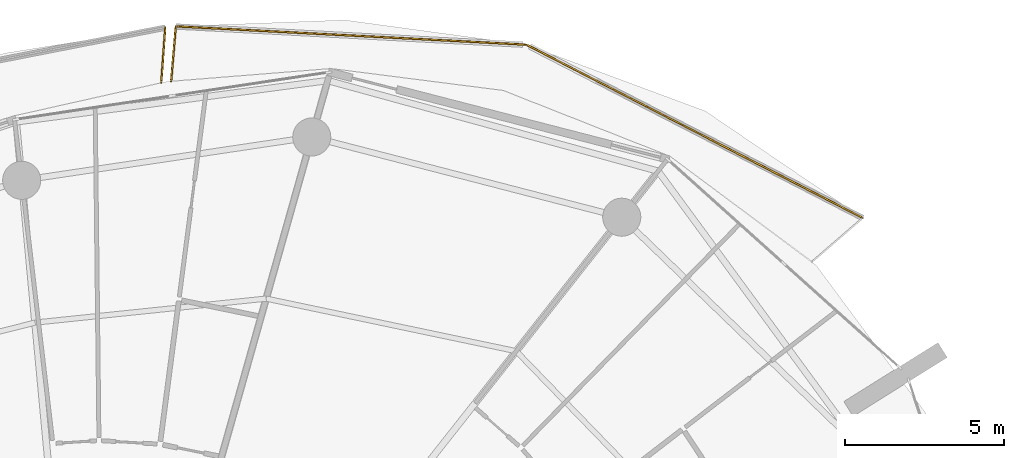
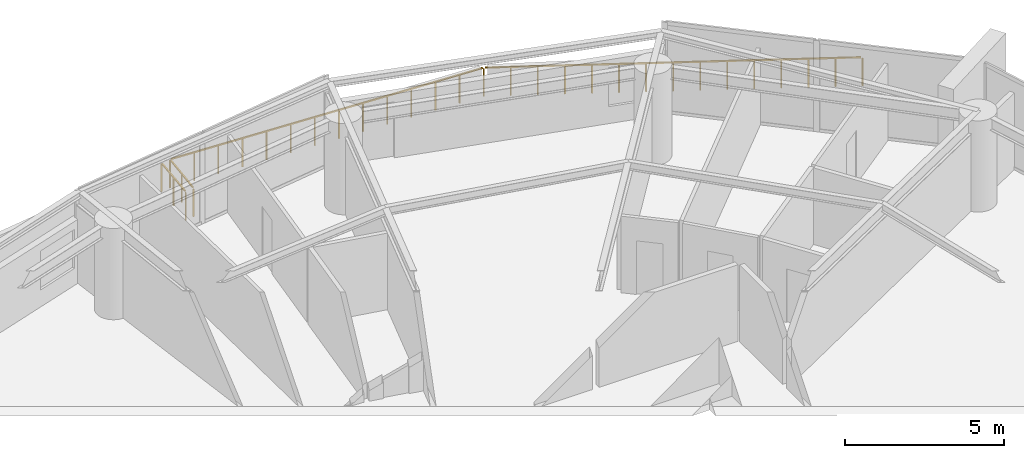
# One storey, part 23 of 23: 4 railings.
"""IFC4 building model written with IfcOpenShell, lengths in metres."""

from ifc_helpers import new_model, si_unit, direction, frame, origin, origin_2d, place, context, subcontext, project, spatial, rectangle, extrude, material, type_object, element, save


model = new_model("IFC4")

# Units and contexts
model_context = context("Model", 3, precision=1e-05, world=origin(), true_north=direction((0.0, 1.0)))
body_context = subcontext(model_context, "Body", "Model", "MODEL_VIEW")
ifc_project = project(units=[si_unit("LENGTHUNIT", "METRE"), si_unit("AREAUNIT", "SQUARE_METRE"), si_unit("VOLUMEUNIT", "CUBIC_METRE"), si_unit("PLANEANGLEUNIT", "RADIAN"), si_unit("MASSUNIT", "GRAM", prefix="KILO")], contexts=[model_context])

# Site, building, storey
site_placement = place(None, origin())
site = spatial("IfcSite", under=ifc_project, at=site_placement, CompositionType="ELEMENT")
building_placement = place(site_placement, origin())
building = spatial("IfcBuilding", under=site, at=building_placement, Name="Kazma Halo Residences", CompositionType="ELEMENT")
storey_placement = place(building_placement, frame((0.0, 0.0, 82.64990234375)))
storey = spatial("IfcBuildingStorey", under=building, at=storey_placement, Name="L20", CompositionType="ELEMENT", Elevation=82.64990234375)

# Railings
ifc_material = material(Name="Aluminium AW-6063 T6 Brushed Cap Rail", Category="aluminium")
railing_type = type_object("IfcRailingType", Name="RLG-BAL-CAP-1120", PredefinedType="BALUSTRADE", material=ifc_material)
railing_1_placement = place(storey_placement, frame((71.92041015625, 62.68408203125, 0.0)))
element("IfcRailing", 1, at=railing_1_placement, inside=storey, type_object=railing_type, Name="L20 NE wave balcony guard 2", PredefinedType="BALUSTRADE", context=body_context, shape_type="SweptSolid", body=[
    extrude(rectangle(XDim=0.050048828125, YDim=0.050048828125, at=origin_2d()), frame((-0.037841796875, 0.01953125, 1.09521484375), z_axis=(-0.888977082513, 0.457951686062, 0.0), x_axis=(-0.457951686062, -0.888977082513, 0.0)), (0.0, 0.0, 1.0), 11.838134765625),
    extrude(rectangle(XDim=0.0400390625, YDim=0.0400390625, at=origin_2d()), origin(), (0.0, 0.0, 1.0), 1.05810546875),
    extrude(rectangle(XDim=0.0400390625, YDim=0.0400390625, at=origin_2d()), frame((-0.757080078125, 0.39013671875, 0.0)), (0.0, 0.0, 1.0), 1.05810546875),
    extrude(rectangle(XDim=0.0400390625, YDim=0.0400390625, at=origin_2d()), frame((-1.51416015625, 0.780029296875, 0.0)), (0.0, 0.0, 1.0), 1.05810546875),
    extrude(rectangle(XDim=0.0400390625, YDim=0.0400390625, at=origin_2d()), frame((-2.271240234375, 1.169921875, 0.0)), (0.0, 0.0, 1.0), 1.05810546875),
    extrude(rectangle(XDim=0.0400390625, YDim=0.0400390625, at=origin_2d()), frame((-3.0283203125, 1.56005859375, 0.0)), (0.0, 0.0, 1.0), 1.05810546875),
    extrude(rectangle(XDim=0.0400390625, YDim=0.0400390625, at=origin_2d()), frame((-3.785400390625, 1.9501953125, 0.0)), (0.0, 0.0, 1.0), 1.05810546875),
    extrude(rectangle(XDim=0.0400390625, YDim=0.0400390625, at=origin_2d()), frame((-4.54248046875, 2.340087890625, 0.0)), (0.0, 0.0, 1.0), 1.05810546875),
    extrude(rectangle(XDim=0.0400390625, YDim=0.0400390625, at=origin_2d()), frame((-5.2998046875, 2.72998046875, 0.0)), (0.0, 0.0, 1.0), 1.05810546875),
    extrude(rectangle(XDim=0.0400390625, YDim=0.0400390625, at=origin_2d()), frame((-6.056884765625, 3.1201171875, 0.0)), (0.0, 0.0, 1.0), 1.05810546875),
    extrude(rectangle(XDim=0.0400390625, YDim=0.0400390625, at=origin_2d()), frame((-6.81396484375, 3.51025390625, 0.0)), (0.0, 0.0, 1.0), 1.05810546875),
    extrude(rectangle(XDim=0.0400390625, YDim=0.0400390625, at=origin_2d()), frame((-7.571044921875, 3.900146484375, 0.0)), (0.0, 0.0, 1.0), 1.05810546875),
    extrude(rectangle(XDim=0.0400390625, YDim=0.0400390625, at=origin_2d()), frame((-8.328125, 4.2900390625, 0.0)), (0.0, 0.0, 1.0), 1.05810546875),
    extrude(rectangle(XDim=0.0400390625, YDim=0.0400390625, at=origin_2d()), frame((-9.085205078125, 4.68017578125, 0.0)), (0.0, 0.0, 1.0), 1.05810546875),
    extrude(rectangle(XDim=0.0400390625, YDim=0.0400390625, at=origin_2d()), frame((-9.84228515625, 5.0703125, 0.0)), (0.0, 0.0, 1.0), 1.05810546875),
    extrude(rectangle(XDim=0.0400390625, YDim=0.0400390625, at=origin_2d()), frame((-10.599365234375, 5.460205078125, 0.0)), (0.0, 0.0, 1.0), 1.05810546875),
])
railing_2_placement = place(storey_placement, frame((61.321044921875, 68.144287109375, 0.0)))
element("IfcRailing", 2, at=railing_2_placement, inside=storey, type_object=railing_type, Name="L20 NE wave balcony guard 3", PredefinedType="BALUSTRADE", context=body_context, shape_type="SweptSolid", body=[
    extrude(rectangle(XDim=0.050048828125, YDim=0.050048828125, at=origin_2d()), frame((-0.04248046875, 0.002197265625, 1.09521484375), z_axis=(-0.998638528459, 0.052164063076, 0.0), x_axis=(-0.052164063076, -0.998638528459, 0.0)), (0.0, 0.0, 1.0), 10.983642578125),
    extrude(rectangle(XDim=0.0400390625, YDim=0.0400390625, at=origin_2d()), origin(), (0.0, 0.0, 1.0), 1.05810546875),
    extrude(rectangle(XDim=0.0400390625, YDim=0.0400390625, at=origin_2d()), frame((-0.850341796875, 0.04443359375, 0.0)), (0.0, 0.0, 1.0), 1.05810546875),
    extrude(rectangle(XDim=0.0400390625, YDim=0.0400390625, at=origin_2d()), frame((-1.70068359375, 0.0888671875, 0.0)), (0.0, 0.0, 1.0), 1.05810546875),
    extrude(rectangle(XDim=0.0400390625, YDim=0.0400390625, at=origin_2d()), frame((-2.55078125, 0.13330078125, 0.0)), (0.0, 0.0, 1.0), 1.05810546875),
    extrude(rectangle(XDim=0.0400390625, YDim=0.0400390625, at=origin_2d()), frame((-3.401123046875, 0.177734375, 0.0)), (0.0, 0.0, 1.0), 1.05810546875),
    extrude(rectangle(XDim=0.0400390625, YDim=0.0400390625, at=origin_2d()), frame((-4.25146484375, 0.22216796875, 0.0)), (0.0, 0.0, 1.0), 1.05810546875),
    extrude(rectangle(XDim=0.0400390625, YDim=0.0400390625, at=origin_2d()), frame((-5.101806640625, 0.2666015625, 0.0)), (0.0, 0.0, 1.0), 1.05810546875),
    extrude(rectangle(XDim=0.0400390625, YDim=0.0400390625, at=origin_2d()), frame((-5.951904296875, 0.310791015625, 0.0)), (0.0, 0.0, 1.0), 1.05810546875),
    extrude(rectangle(XDim=0.0400390625, YDim=0.0400390625, at=origin_2d()), frame((-6.80224609375, 0.355224609375, 0.0)), (0.0, 0.0, 1.0), 1.05810546875),
    extrude(rectangle(XDim=0.0400390625, YDim=0.0400390625, at=origin_2d()), frame((-7.652587890625, 0.399658203125, 0.0)), (0.0, 0.0, 1.0), 1.05810546875),
    extrude(rectangle(XDim=0.0400390625, YDim=0.0400390625, at=origin_2d()), frame((-8.5029296875, 0.444091796875, 0.0)), (0.0, 0.0, 1.0), 1.05810546875),
    extrude(rectangle(XDim=0.0400390625, YDim=0.0400390625, at=origin_2d()), frame((-9.35302734375, 0.488525390625, 0.0)), (0.0, 0.0, 1.0), 1.05810546875),
    extrude(rectangle(XDim=0.0400390625, YDim=0.0400390625, at=origin_2d()), frame((-10.203369140625, 0.532958984375, 0.0)), (0.0, 0.0, 1.0), 1.05810546875),
    extrude(rectangle(XDim=0.0400390625, YDim=0.0400390625, at=origin_2d()), frame((-11.0537109375, 0.577392578125, 0.0)), (0.0, 0.0, 1.0), 1.05810546875),
])
railing_3_placement = place(storey_placement, frame((50.267333984375, 68.7216796875, 0.0)))
element("IfcRailing", 3, at=railing_3_placement, inside=storey, type_object=railing_type, Name="L20 NE wave balcony guard 4", PredefinedType="BALUSTRADE", context=body_context, shape_type="SweptSolid", body=[
    extrude(rectangle(XDim=0.050048828125, YDim=0.050048828125, at=origin_2d()), frame((-0.003662109375, -0.04248046875, 1.09521484375), z_axis=(-0.084547240247, -0.996419471993, 0.0), x_axis=(0.996419471993, -0.084547240247, 0.0)), (0.0, 0.0, 1.0), 1.650390625),
    extrude(rectangle(XDim=0.0400390625, YDim=0.0400390625, at=origin_2d()), origin(), (0.0, 0.0, 1.0), 1.05810546875),
    extrude(rectangle(XDim=0.0400390625, YDim=0.0400390625, at=origin_2d()), frame((-0.0732421875, -0.86474609375, 0.0)), (0.0, 0.0, 1.0), 1.05810546875),
    extrude(rectangle(XDim=0.0400390625, YDim=0.0400390625, at=origin_2d()), frame((-0.146728515625, -1.729248046875, 0.0)), (0.0, 0.0, 1.0), 1.05810546875),
])
railing_4_placement = place(storey_placement, frame((49.81005859375, 66.94580078125, 0.0)))
element("IfcRailing", 4, at=railing_4_placement, inside=storey, type_object=railing_type, Name="L20 NNW wave balcony guard 1", PredefinedType="BALUSTRADE", context=body_context, shape_type="SweptSolid", body=[
    extrude(rectangle(XDim=0.050048828125, YDim=0.050048828125, at=origin_2d()), frame((0.003173828125, 0.04248046875, 1.09521484375), z_axis=(0.072361028195, 0.99737850468, 0.0), x_axis=(-0.99737850468, 0.072361028195, 0.0)), (0.0, 0.0, 1.0), 1.6591796875),
    extrude(rectangle(XDim=0.0400390625, YDim=0.0400390625, at=origin_2d()), origin(), (0.0, 0.0, 1.0), 1.05810546875),
    extrude(rectangle(XDim=0.0400390625, YDim=0.0400390625, at=origin_2d()), frame((0.06298828125, 0.869873046875, 0.0)), (0.0, 0.0, 1.0), 1.05810546875),
    extrude(rectangle(XDim=0.0400390625, YDim=0.0400390625, at=origin_2d()), frame((0.126220703125, 1.73974609375, 0.0)), (0.0, 0.0, 1.0), 1.05810546875),
])

save(model, "model.ifc")
